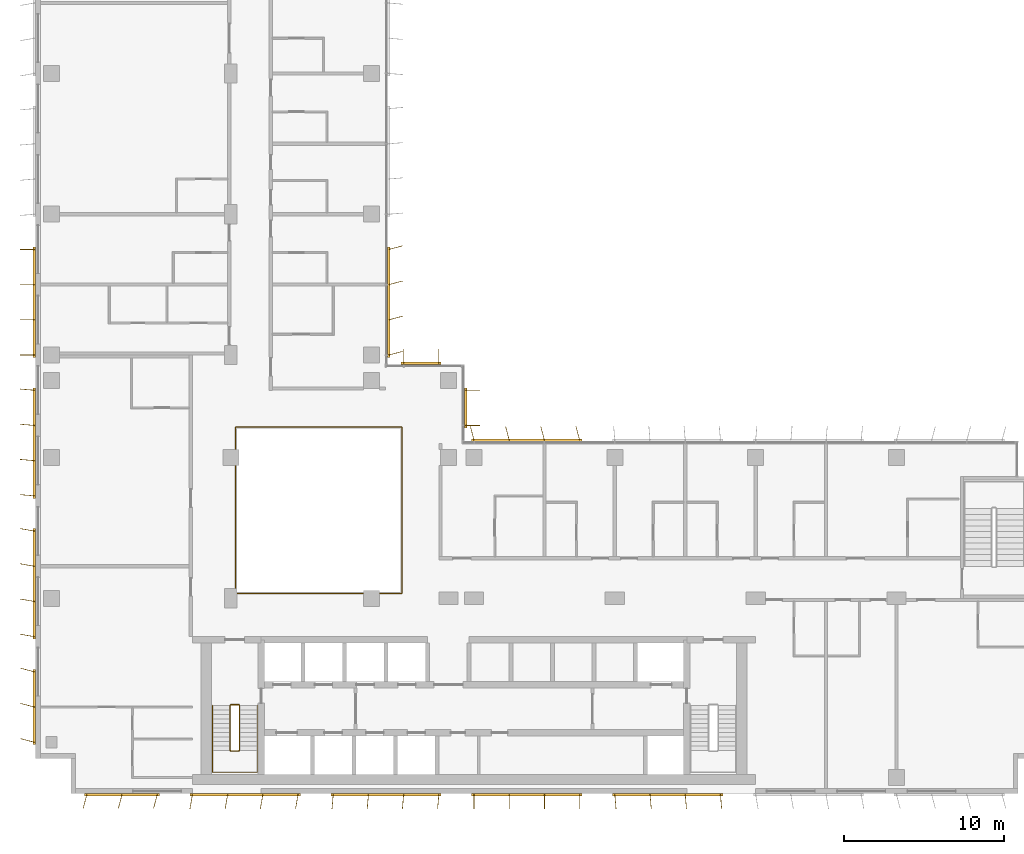
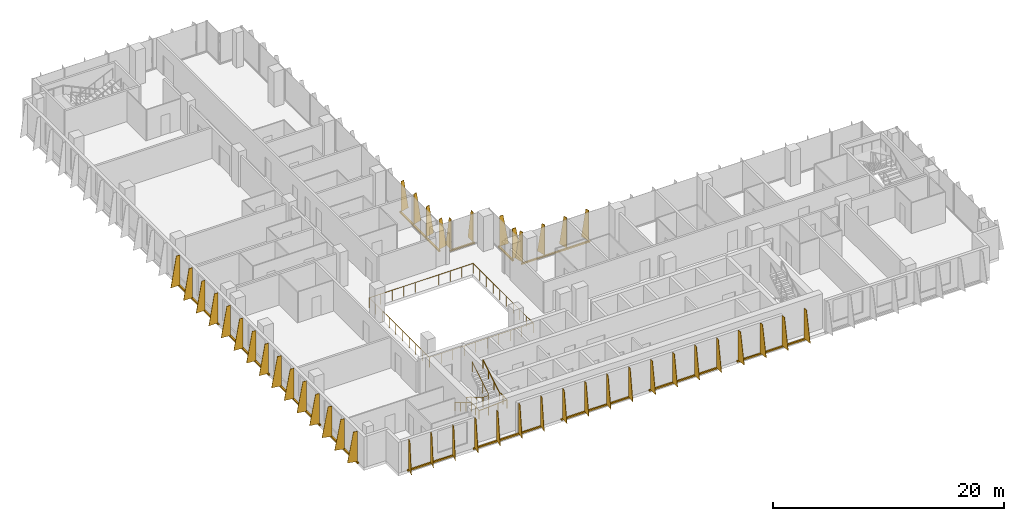
# One storey, part 19 of 21: 13 shading devices, 3 railings.
"""IFC4 building model written with IfcOpenShell, lengths in metres."""

from ifc_helpers import new_model, si_unit, direction, frame, origin, origin_2d, place, context, subcontext, project, spatial, polyline, rectangle, circle, outline, extrude, source, transform, mapped, material, layer, layer_set, type_object, element, save


model = new_model("IFC4")

# Units and contexts
model_context = context("Model", 3, precision=1e-05, world=origin(), true_north=direction((0.0, 1.0)))
body_context = subcontext(model_context, "Body", "Model", "MODEL_VIEW")
ifc_project = project(units=[si_unit("LENGTHUNIT", "METRE"), si_unit("AREAUNIT", "SQUARE_METRE"), si_unit("VOLUMEUNIT", "CUBIC_METRE"), si_unit("PLANEANGLEUNIT", "RADIAN"), si_unit("MASSUNIT", "GRAM", prefix="KILO")], contexts=[model_context])

# Site, building, storey
site_placement = place(None, origin())
site = spatial("IfcSite", under=ifc_project, at=site_placement, CompositionType="ELEMENT")
building_placement = place(site_placement, origin())
building = spatial("IfcBuilding", under=site, at=building_placement, Name="Kemantara Hotel Tower", CompositionType="ELEMENT")
storey_placement = place(building_placement, frame((0.0, 0.0, 198.800048828125)))
storey = spatial("IfcBuildingStorey", under=building, at=storey_placement, Name="L49", CompositionType="ELEMENT", Elevation=198.800048828125)

# Railings
ifc_material_1 = material(Name="Stainless steel and laminated glass balustrade", Category="steel")
railing_type_1 = type_object("IfcRailingType", Name="ATRIUM GUARD 1100", PredefinedType="GUARDRAIL", material=ifc_material_1)
railing_1_placement = place(storey_placement, frame((12.56005859375, 12.5, 0.0)))
element("IfcRailing", 1, at=railing_1_placement, inside=storey, type_object=railing_type_1, Name="ATRIUM GUARD L49", PredefinedType="GUARDRAIL", context=body_context, shape_type="SweptSolid", body=[
    extrude(circle(Radius=0.02490234375, at=origin_2d()), frame((0.0, 0.0, 1.0751953125), z_axis=(1.0, 0.0, 0.0), x_axis=(0.0, 1.0, 0.0)), (0.0, 0.0, 1.0), 10.33984375),
    extrude(circle(Radius=0.02490234375, at=origin_2d()), frame((10.33984375, 0.0, 1.0751953125), z_axis=(0.0, 1.0, 0.0), x_axis=(-1.0, 0.0, 0.0)), (0.0, 0.0, 1.0), 10.39990234375),
    extrude(circle(Radius=0.02490234375, at=origin_2d()), frame((10.33984375, 10.39990234375, 1.0751953125), z_axis=(-1.0, 0.0, 0.0), x_axis=(0.0, -1.0, 0.0)), (0.0, 0.0, 1.0), 10.39990234375),
    extrude(circle(Radius=0.02490234375, at=origin_2d()), frame((-0.06005859375, 10.39990234375, 1.0751953125), z_axis=(0.0, -1.0, 0.0), x_axis=(1.0, 0.0, 0.0)), (0.0, 0.0, 1.0), 10.39990234375),
    extrude(circle(Radius=0.02001953125, at=origin_2d()), origin(), (0.0, 0.0, 1.0), 1.050048828125),
    extrude(circle(Radius=0.02001953125, at=origin_2d()), frame((1.14892578125, 0.0, 0.0)), (0.0, 0.0, 1.0), 1.050048828125),
    extrude(circle(Radius=0.02001953125, at=origin_2d()), frame((2.2978515625, 0.0, 0.0)), (0.0, 0.0, 1.0), 1.050048828125),
    extrude(circle(Radius=0.02001953125, at=origin_2d()), frame((3.446533203125, 0.0, 0.0)), (0.0, 0.0, 1.0), 1.050048828125),
    extrude(circle(Radius=0.02001953125, at=origin_2d()), frame((4.595458984375, 0.0, 0.0)), (0.0, 0.0, 1.0), 1.050048828125),
    extrude(circle(Radius=0.02001953125, at=origin_2d()), frame((5.744384765625, 0.0, 0.0)), (0.0, 0.0, 1.0), 1.050048828125),
    extrude(circle(Radius=0.02001953125, at=origin_2d()), frame((6.893310546875, 0.0, 0.0)), (0.0, 0.0, 1.0), 1.050048828125),
    extrude(circle(Radius=0.02001953125, at=origin_2d()), frame((8.0419921875, 0.0, 0.0)), (0.0, 0.0, 1.0), 1.050048828125),
    extrude(circle(Radius=0.02001953125, at=origin_2d()), frame((9.19091796875, 0.0, 0.0)), (0.0, 0.0, 1.0), 1.050048828125),
    extrude(circle(Radius=0.02001953125, at=origin_2d()), frame((10.33984375, 0.0, 0.0)), (0.0, 0.0, 1.0), 1.050048828125),
    extrude(circle(Radius=0.02001953125, at=origin_2d()), frame((10.33984375, 1.155517578125, 0.0)), (0.0, 0.0, 1.0), 1.050048828125),
    extrude(circle(Radius=0.02001953125, at=origin_2d()), frame((10.33984375, 2.31103515625, 0.0)), (0.0, 0.0, 1.0), 1.050048828125),
    extrude(circle(Radius=0.02001953125, at=origin_2d()), frame((10.33984375, 3.466552734375, 0.0)), (0.0, 0.0, 1.0), 1.050048828125),
    extrude(circle(Radius=0.02001953125, at=origin_2d()), frame((10.33984375, 4.6220703125, 0.0)), (0.0, 0.0, 1.0), 1.050048828125),
    extrude(circle(Radius=0.02001953125, at=origin_2d()), frame((10.33984375, 5.77783203125, 0.0)), (0.0, 0.0, 1.0), 1.050048828125),
    extrude(circle(Radius=0.02001953125, at=origin_2d()), frame((10.33984375, 6.933349609375, 0.0)), (0.0, 0.0, 1.0), 1.050048828125),
    extrude(circle(Radius=0.02001953125, at=origin_2d()), frame((10.33984375, 8.0888671875, 0.0)), (0.0, 0.0, 1.0), 1.050048828125),
    extrude(circle(Radius=0.02001953125, at=origin_2d()), frame((10.33984375, 9.244384765625, 0.0)), (0.0, 0.0, 1.0), 1.050048828125),
    extrude(circle(Radius=0.02001953125, at=origin_2d()), frame((10.33984375, 10.39990234375, 0.0)), (0.0, 0.0, 1.0), 1.050048828125),
    extrude(circle(Radius=0.02001953125, at=origin_2d()), frame((9.184326171875, 10.39990234375, 0.0)), (0.0, 0.0, 1.0), 1.050048828125),
    extrude(circle(Radius=0.02001953125, at=origin_2d()), frame((8.02880859375, 10.39990234375, 0.0)), (0.0, 0.0, 1.0), 1.050048828125),
    extrude(circle(Radius=0.02001953125, at=origin_2d()), frame((6.873291015625, 10.39990234375, 0.0)), (0.0, 0.0, 1.0), 1.050048828125),
    extrude(circle(Radius=0.02001953125, at=origin_2d()), frame((5.7177734375, 10.39990234375, 0.0)), (0.0, 0.0, 1.0), 1.050048828125),
    extrude(circle(Radius=0.02001953125, at=origin_2d()), frame((4.56201171875, 10.39990234375, 0.0)), (0.0, 0.0, 1.0), 1.050048828125),
    extrude(circle(Radius=0.02001953125, at=origin_2d()), frame((3.406494140625, 10.39990234375, 0.0)), (0.0, 0.0, 1.0), 1.050048828125),
    extrude(circle(Radius=0.02001953125, at=origin_2d()), frame((2.2509765625, 10.39990234375, 0.0)), (0.0, 0.0, 1.0), 1.050048828125),
    extrude(circle(Radius=0.02001953125, at=origin_2d()), frame((1.095458984375, 10.39990234375, 0.0)), (0.0, 0.0, 1.0), 1.050048828125),
    extrude(circle(Radius=0.02001953125, at=origin_2d()), frame((-0.06005859375, 10.39990234375, 0.0)), (0.0, 0.0, 1.0), 1.050048828125),
    extrude(circle(Radius=0.02001953125, at=origin_2d()), frame((-0.06005859375, 9.244384765625, 0.0)), (0.0, 0.0, 1.0), 1.050048828125),
    extrude(circle(Radius=0.02001953125, at=origin_2d()), frame((-0.06005859375, 8.0888671875, 0.0)), (0.0, 0.0, 1.0), 1.050048828125),
    extrude(circle(Radius=0.02001953125, at=origin_2d()), frame((-0.06005859375, 6.933349609375, 0.0)), (0.0, 0.0, 1.0), 1.050048828125),
    extrude(circle(Radius=0.02001953125, at=origin_2d()), frame((-0.06005859375, 5.77783203125, 0.0)), (0.0, 0.0, 1.0), 1.050048828125),
    extrude(circle(Radius=0.02001953125, at=origin_2d()), frame((-0.06005859375, 4.6220703125, 0.0)), (0.0, 0.0, 1.0), 1.050048828125),
    extrude(circle(Radius=0.02001953125, at=origin_2d()), frame((-0.06005859375, 3.466552734375, 0.0)), (0.0, 0.0, 1.0), 1.050048828125),
    extrude(circle(Radius=0.02001953125, at=origin_2d()), frame((-0.06005859375, 2.31103515625, 0.0)), (0.0, 0.0, 1.0), 1.050048828125),
    extrude(circle(Radius=0.02001953125, at=origin_2d()), frame((-0.06005859375, 1.155517578125, 0.0)), (0.0, 0.0, 1.0), 1.050048828125),
    extrude(circle(Radius=0.02001953125, at=origin_2d()), frame((-0.06005859375, 0.0, 0.0)), (0.0, 0.0, 1.0), 1.050048828125),
])
ifc_material_2 = material(Name="Stainless steel balustrade", Category="steel")
railing_type_2 = type_object("IfcRailingType", Name="Stair guard 1100 mm", PredefinedType="GUARDRAIL", material=ifc_material_2)
railing_2_placement = place(storey_placement, frame((12.75, 5.5, 3.699951171875)))
element("IfcRailing", 2, at=railing_2_placement, inside=storey, type_object=railing_type_2, Name="L49 ST1 stair guard 1", PredefinedType="GUARDRAIL", context=body_context, shape_type="SweptSolid", body=[
    extrude(circle(Radius=0.02392578125, at=origin_2d()), frame((0.0, 0.0, 1.076171875), z_axis=(0.0, -0.857242210791, -0.514913383045), x_axis=(1.0, 0.0, 0.0)), (0.0, 0.0, 1.0), 3.266357421875),
    extrude(circle(Radius=0.02392578125, at=origin_2d()), frame((0.0, -2.800048828125, -0.60595703125), z_axis=(-0.274243871929, -0.274243871929, -0.92172696468), x_axis=(0.707106781187, -0.707106781187, 0.0)), (0.0, 0.0, 1.0), 0.1826171875),
    extrude(circle(Radius=0.02392578125, at=origin_2d()), frame((-0.050048828125, -2.85009765625, -0.77392578125), z_axis=(-1.0, 0.0, 0.0), x_axis=(0.0, -1.0, 0.0)), (0.0, 0.0, 1.0), 0.5),
    extrude(circle(Radius=0.02392578125, at=origin_2d()), frame((-0.550048828125, -2.85009765625, -0.77392578125), z_axis=(-0.707106781187, 0.707106781187, 0.0), x_axis=(-0.707106781187, -0.707106781187, 0.0)), (0.0, 0.0, 1.0), 0.07080078125),
    extrude(circle(Radius=0.02392578125, at=origin_2d()), frame((-0.60009765625, -2.800048828125, -0.77392578125), z_axis=(0.0, 0.857275202839, -0.514858452973), x_axis=(-1.0, 0.0, 0.0)), (0.0, 0.0, 1.0), 3.26611328125),
    extrude(circle(Radius=0.02392578125, at=origin_2d()), frame((-0.60009765625, 0.0, -2.45556640625), z_axis=(0.274243871929, 0.274243871929, -0.92172696468), x_axis=(-0.707106781187, 0.707106781187, 0.0)), (0.0, 0.0, 1.0), 0.1826171875),
    extrude(circle(Radius=0.02392578125, at=origin_2d()), frame((-0.550048828125, 0.050048828125, -2.6240234375), z_axis=(1.0, 0.0, 0.0), x_axis=(0.0, 1.0, 0.0)), (0.0, 0.0, 1.0), 0.5),
    extrude(circle(Radius=0.02099609375, at=origin_2d()), origin(), (0.0, 0.0, 1.0), 1.052001953125),
    extrude(circle(Radius=0.02099609375, at=origin_2d()), frame((0.0, -0.933349609375, -0.560546875)), (0.0, 0.0, 1.0), 1.052001953125),
    extrude(circle(Radius=0.02099609375, at=origin_2d()), frame((0.0, -1.86669921875, -1.121337890625)), (0.0, 0.0, 1.0), 1.052001953125),
    extrude(circle(Radius=0.02099609375, at=origin_2d()), frame((0.0, -2.800048828125, -1.681884765625)), (0.0, 0.0, 1.0), 1.052001953125),
    extrude(circle(Radius=0.02099609375, at=origin_2d()), frame((-0.050048828125, -2.85009765625, -1.85009765625)), (0.0, 0.0, 1.0), 1.052001953125),
    extrude(circle(Radius=0.02099609375, at=origin_2d()), frame((-0.550048828125, -2.85009765625, -1.85009765625)), (0.0, 0.0, 1.0), 1.052001953125),
    extrude(circle(Radius=0.02099609375, at=origin_2d()), frame((-0.60009765625, -2.800048828125, -1.85009765625)), (0.0, 0.0, 1.0), 1.052001953125),
    extrude(circle(Radius=0.02099609375, at=origin_2d()), frame((-0.60009765625, -1.86669921875, -2.41064453125)), (0.0, 0.0, 1.0), 1.052001953125),
    extrude(circle(Radius=0.02099609375, at=origin_2d()), frame((-0.60009765625, -0.933349609375, -2.97119140625)), (0.0, 0.0, 1.0), 1.052001953125),
    extrude(circle(Radius=0.02099609375, at=origin_2d()), frame((-0.60009765625, 0.0, -3.53173828125)), (0.0, 0.0, 1.0), 1.052001953125),
    extrude(circle(Radius=0.02099609375, at=origin_2d()), frame((-0.550048828125, 0.050048828125, -3.699951171875)), (0.0, 0.0, 1.0), 1.052001953125),
    extrude(circle(Radius=0.02099609375, at=origin_2d()), frame((-0.050048828125, 0.050048828125, -3.699951171875)), (0.0, 0.0, 1.0), 1.052001953125),
])
railing_type_3 = type_object("IfcRailingType", Name="Stair handrail 900 mm", PredefinedType="HANDRAIL", material=ifc_material_2)
railing_3_placement = place(storey_placement, frame((11.050048828125, 5.5, 0.168212890625)))
element("IfcRailing", 3, at=railing_3_placement, inside=storey, type_object=railing_type_3, Name="L49 ST1 stair handrail 1", PredefinedType="HANDRAIL", context=body_context, shape_type="SweptSolid", body=[
    extrude(circle(Radius=0.02392578125, at=origin_2d()), frame((0.0, 0.0, 0.8759765625), z_axis=(0.0, -0.857275202839, 0.514858452973), x_axis=(1.0, 0.0, 0.0)), (0.0, 0.0, 1.0), 3.26611328125),
    extrude(circle(Radius=0.02392578125, at=origin_2d()), frame((0.0, -2.800048828125, 2.5576171875), z_axis=(0.0, -1.0, 0.0), x_axis=(1.0, 0.0, 0.0)), (0.0, 0.0, 1.0), 1.3798828125),
    extrude(circle(Radius=0.02392578125, at=origin_2d()), frame((0.0, -4.179931640625, 2.5576171875), z_axis=(0.998200367801, 0.0, 0.059966871865), x_axis=(0.0, 1.0, 0.0)), (0.0, 0.0, 1.0), 2.80517578125),
    extrude(circle(Radius=0.02392578125, at=origin_2d()), frame((2.800048828125, -4.179931640625, 2.7255859375), z_axis=(0.0, 1.0, 0.0), x_axis=(-1.0, 0.0, 0.0)), (0.0, 0.0, 1.0), 1.3798828125),
    extrude(circle(Radius=0.02392578125, at=origin_2d()), frame((2.800048828125, -2.800048828125, 2.7255859375), z_axis=(0.0, 0.857242210791, 0.514913383045), x_axis=(-1.0, 0.0, 0.0)), (0.0, 0.0, 1.0), 3.266357421875),
    extrude(circle(Radius=0.02099609375, at=origin_2d()), origin(), (0.0, 0.0, 1.0), 0.851806640625),
    extrude(circle(Radius=0.02099609375, at=origin_2d()), frame((0.0, -0.933349609375, 0.560546875)), (0.0, 0.0, 1.0), 0.851806640625),
    extrude(circle(Radius=0.02099609375, at=origin_2d()), frame((0.0, -1.86669921875, 1.12109375)), (0.0, 0.0, 1.0), 0.851806640625),
    extrude(circle(Radius=0.02099609375, at=origin_2d()), frame((0.0, -2.800048828125, 1.681640625)), (0.0, 0.0, 1.0), 0.851806640625),
    extrude(circle(Radius=0.02099609375, at=origin_2d()), frame((0.0, -3.489990234375, 1.681640625)), (0.0, 0.0, 1.0), 0.851806640625),
    extrude(circle(Radius=0.02099609375, at=origin_2d()), frame((0.0, -4.179931640625, 1.681640625)), (0.0, 0.0, 1.0), 0.851806640625),
    extrude(circle(Radius=0.02099609375, at=origin_2d()), frame((0.933349609375, -4.179931640625, 1.73779296875)), (0.0, 0.0, 1.0), 0.851806640625),
    extrude(circle(Radius=0.02099609375, at=origin_2d()), frame((1.86669921875, -4.179931640625, 1.793701171875)), (0.0, 0.0, 1.0), 0.851806640625),
    extrude(circle(Radius=0.02099609375, at=origin_2d()), frame((2.800048828125, -4.179931640625, 1.849853515625)), (0.0, 0.0, 1.0), 0.851806640625),
    extrude(circle(Radius=0.02099609375, at=origin_2d()), frame((2.800048828125, -3.489990234375, 1.849853515625)), (0.0, 0.0, 1.0), 0.851806640625),
    extrude(circle(Radius=0.02099609375, at=origin_2d()), frame((2.800048828125, -2.800048828125, 1.849853515625)), (0.0, 0.0, 1.0), 0.851806640625),
    extrude(circle(Radius=0.02099609375, at=origin_2d()), frame((2.800048828125, -1.86669921875, 2.410400390625)), (0.0, 0.0, 1.0), 0.851806640625),
    extrude(circle(Radius=0.02099609375, at=origin_2d()), frame((2.800048828125, -0.933349609375, 2.97119140625)), (0.0, 0.0, 1.0), 0.851806640625),
    extrude(circle(Radius=0.02099609375, at=origin_2d()), frame((2.800048828125, 0.0, 3.53173828125)), (0.0, 0.0, 1.0), 0.851806640625),
])

# Shading devices
ifc_material_3 = material(Name="Perforated aluminium plate 4 mm bronze anodised", Category="aluminium")
ifc_layer_1 = layer(ifc_material_3, 0.0400390625)
ifc_layer_set_1 = layer_set([ifc_layer_1], Name="Perforated aluminium plate 4 mm bronze anodised")
shading_device_type_1 = type_object("IfcShadingDeviceType", Name="SCREEN FIN CASSETTE, 3 BLADES AT -15.0 DEG, 3200 HIGH", PredefinedType="USERDEFINED", material=ifc_layer_set_1)
shared_shape_1 = source(origin(), body_context, "Body", "SweptSolid", [
    extrude(rectangle(XDim=4.699951171875, YDim=0.14990234375, at=origin_2d()), frame((2.199951171875, -0.074951171875, -0.14990234375), z_axis=(0.0, 0.0, 1.0), x_axis=(1.0, 0.0, 0.0)), (0.0, 0.0, 1.0), 0.14990234375),
    extrude(outline(polyline([(0.0, 0.0), (0.89990234375, 0.0), (0.35009765625, 3.199951171875), (0.0, 3.199951171875), (0.0, 0.0)])), frame((0.019287109375, -0.080078125, 0.0), z_axis=(-0.966437683387, 0.256901156343, 0.0), x_axis=(-0.256901156343, -0.966437683387, 0.0)), (0.0, 0.0, 1.0), 0.039794921875),
    extrude(outline(polyline([(0.0, 0.0), (0.89990234375, 0.0), (0.35009765625, 3.199951171875), (0.0, 3.199951171875), (0.0, 0.0)])), frame((2.21923828125, -0.080078125, 0.0), z_axis=(-0.966437683387, 0.256901156343, 0.0), x_axis=(-0.256901156343, -0.966437683387, 0.0)), (0.0, 0.0, 1.0), 0.039794921875),
    extrude(outline(polyline([(0.0, 0.0), (0.89990234375, 0.0), (0.35009765625, 3.199951171875), (0.0, 3.199951171875), (0.0, 0.0)])), frame((4.41943359375, -0.080078125, 0.0), z_axis=(-0.966837822169, 0.255391122837, 0.0), x_axis=(-0.255391122837, -0.966837822169, 0.0)), (0.0, 0.0, 1.0), 0.0400390625),
])
for number, where, z_axis, x_axis, name in (
    (4, (0.0, 7.60009765625, 0.099853515625), (0.0, 0.0, 1.0), (0.0, -1.0, 0.0), "SCREEN FIN CASSETTE L49 T3-R05-7"),
    (5, (3.199951171875, 0.0, 0.099853515625), (0.0, 0.0, 1.0), (1.0, 0.0, 0.0), "SCREEN FIN CASSETTE L49 T3-R08-1"),
):
    element("IfcShadingDevice", number, at=place(storey_placement, frame(where, z_axis=z_axis, x_axis=x_axis)), inside=storey, type_object=shading_device_type_1, Name=name, ObjectType="SCREEN FIN", PredefinedType="USERDEFINED", context=body_context, shape_type="MappedRepresentation", body=[
        mapped(shared_shape_1, transform((0.0, 0.0, 0.0))),
    ])
ifc_layer_2 = layer(ifc_material_3, 0.0400390625)
ifc_layer_set_2 = layer_set([ifc_layer_2], Name="Perforated aluminium plate 4 mm bronze anodised")
shading_device_type_2 = type_object("IfcShadingDeviceType", Name="SCREEN FIN CASSETTE, 4 BLADES AT -10.0 DEG, 3200 HIGH", PredefinedType="USERDEFINED", material=ifc_layer_set_2)
shared_shape_2 = source(origin(), body_context, "Body", "SweptSolid", [
    extrude(rectangle(XDim=6.89990234375, YDim=0.14990234375, at=origin_2d()), frame((3.300048828125, -0.074951171875, -0.14990234375), z_axis=(0.0, 0.0, 1.0), x_axis=(1.0, 0.0, 0.0)), (0.0, 0.0, 1.0), 0.14990234375),
    extrude(outline(polyline([(0.0, 0.0), (0.89990234375, 0.0), (0.35009765625, 3.199951171875), (0.0, 3.199951171875), (0.0, 0.0)])), frame((0.019775390625, -0.078369140625, 0.0), z_axis=(-0.985389793052, 0.170314285219, 0.0), x_axis=(-0.170314285219, -0.985389793052, 0.0)), (0.0, 0.0, 1.0), 0.0400390625),
    extrude(outline(polyline([(0.0, 0.0), (0.89990234375, 0.0), (0.35009765625, 3.199951171875), (0.0, 3.199951171875), (0.0, 0.0)])), frame((2.2197265625, -0.078369140625, 0.0), z_axis=(-0.98521175482, 0.171341174751, 0.0), x_axis=(-0.171341174751, -0.98521175482, 0.0)), (0.0, 0.0, 1.0), 0.039794921875),
    extrude(outline(polyline([(0.0, 0.0), (0.89990234375, 0.0), (0.35009765625, 3.199951171875), (0.0, 3.199951171875), (0.0, 0.0)])), frame((4.419677734375, -0.078369140625, 0.0), z_axis=(-0.98521175482, 0.171341174751, 0.0), x_axis=(-0.171341174751, -0.98521175482, 0.0)), (0.0, 0.0, 1.0), 0.039794921875),
    extrude(outline(polyline([(0.0, 0.0), (0.89990234375, 0.0), (0.35009765625, 3.199951171875), (0.0, 3.199951171875), (0.0, 0.0)])), frame((6.61962890625, -0.078369140625, 0.0), z_axis=(-0.98521175482, 0.171341174751, 0.0), x_axis=(-0.171341174751, -0.98521175482, 0.0)), (0.0, 0.0, 1.0), 0.039794921875),
])
for number, where, z_axis, x_axis, name in (
    (6, (0.0, 16.39990234375, 0.099853515625), (0.0, 0.0, 1.0), (0.0, -1.0, 0.0), "SCREEN FIN CASSETTE L49 T3-R05-6"),
    (7, (9.800048828125, 0.0, 0.099853515625), (0.0, 0.0, 1.0), (1.0, 0.0, 0.0), "SCREEN FIN CASSETTE L49 T3-R08-2"),
):
    element("IfcShadingDevice", number, at=place(storey_placement, frame(where, z_axis=z_axis, x_axis=x_axis)), inside=storey, type_object=shading_device_type_2, Name=name, ObjectType="SCREEN FIN", PredefinedType="USERDEFINED", context=body_context, shape_type="MappedRepresentation", body=[
        mapped(shared_shape_2, transform((0.0, 0.0, 0.0))),
    ])
ifc_layer_3 = layer(ifc_material_3, 0.0400390625)
ifc_layer_set_3 = layer_set([ifc_layer_3], Name="Perforated aluminium plate 4 mm bronze anodised")
shading_device_type_3 = type_object("IfcShadingDeviceType", Name="SCREEN FIN CASSETTE, 4 BLADES AT -5.0 DEG, 3200 HIGH", PredefinedType="USERDEFINED", material=ifc_layer_set_3)
shared_shape_3 = source(origin(), body_context, "Body", "SweptSolid", [
    extrude(rectangle(XDim=6.89990234375, YDim=0.14990234375, at=origin_2d()), frame((3.300048828125, -0.074951171875, -0.14990234375), z_axis=(0.0, 0.0, 1.0), x_axis=(1.0, 0.0, 0.0)), (0.0, 0.0, 1.0), 0.14990234375),
    extrude(outline(polyline([(0.0, 0.0), (0.89990234375, 0.0), (0.35009765625, 3.199951171875), (0.0, 3.199951171875), (0.0, 0.0)])), frame((0.02001953125, -0.07666015625, 0.0), z_axis=(-0.996376129781, 0.085056498884, 0.0), x_axis=(-0.085056498884, -0.996376129781, 0.0)), (0.0, 0.0, 1.0), 0.040283203125),
    extrude(outline(polyline([(0.0, 0.0), (0.89990234375, 0.0), (0.35009765625, 3.199951171875), (0.0, 3.199951171875), (0.0, 0.0)])), frame((2.219970703125, -0.07666015625, 0.0), z_axis=(-0.996331773833, 0.085574508182, 0.0), x_axis=(-0.085574508182, -0.996331773833, 0.0)), (0.0, 0.0, 1.0), 0.0400390625),
    extrude(outline(polyline([(0.0, 0.0), (0.89990234375, 0.0), (0.35009765625, 3.199951171875), (0.0, 3.199951171875), (0.0, 0.0)])), frame((4.419921875, -0.07666015625, 0.0), z_axis=(-0.996331773833, 0.085574508182, 0.0), x_axis=(-0.085574508182, -0.996331773833, 0.0)), (0.0, 0.0, 1.0), 0.0400390625),
    extrude(outline(polyline([(0.0, 0.0), (0.89990234375, 0.0), (0.35009765625, 3.199951171875), (0.0, 3.199951171875), (0.0, 0.0)])), frame((6.619873046875, -0.07666015625, 0.0), z_axis=(-0.996331773833, 0.085574508182, 0.0), x_axis=(-0.085574508182, -0.996331773833, 0.0)), (0.0, 0.0, 1.0), 0.0400390625),
])
for number, where, z_axis, x_axis, name in (
    (8, (0.0, 25.199951171875, 0.099853515625), (0.0, 0.0, 1.0), (0.0, -1.0, 0.0), "SCREEN FIN CASSETTE L49 T3-R05-5"),
    (9, (18.60009765625, 0.0, 0.099853515625), (0.0, 0.0, 1.0), (1.0, 0.0, 0.0), "SCREEN FIN CASSETTE L49 T3-R08-3"),
):
    element("IfcShadingDevice", number, at=place(storey_placement, frame(where, z_axis=z_axis, x_axis=x_axis)), inside=storey, type_object=shading_device_type_3, Name=name, ObjectType="SCREEN FIN", PredefinedType="USERDEFINED", context=body_context, shape_type="MappedRepresentation", body=[
        mapped(shared_shape_3, transform((0.0, 0.0, 0.0))),
    ])
ifc_layer_4 = layer(ifc_material_3, 0.0400390625)
ifc_layer_set_4 = layer_set([ifc_layer_4], Name="Perforated aluminium plate 4 mm bronze anodised")
shading_device_type_4 = type_object("IfcShadingDeviceType", Name="SCREEN FIN CASSETTE, 4 BLADES AT +0.0 DEG, 3200 HIGH", PredefinedType="USERDEFINED", material=ifc_layer_set_4)
shared_shape_4 = source(origin(), body_context, "Body", "SweptSolid", [
    extrude(rectangle(XDim=6.89990234375, YDim=0.14990234375, at=origin_2d()), frame((3.300048828125, -0.074951171875, -0.14990234375), z_axis=(0.0, 0.0, 1.0), x_axis=(1.0, 0.0, 0.0)), (0.0, 0.0, 1.0), 0.14990234375),
    extrude(outline(polyline([(0.0, 0.0), (0.89990234375, 0.0), (0.35009765625, 3.199951171875), (0.0, 3.199951171875), (0.0, 0.0)])), frame((0.02001953125, -0.074951171875, 0.0), z_axis=(-1.0, 0.0, 0.0), x_axis=(0.0, -1.0, 0.0)), (0.0, 0.0, 1.0), 0.0400390625),
    extrude(outline(polyline([(0.0, 0.0), (0.89990234375, 0.0), (0.35009765625, 3.199951171875), (0.0, 3.199951171875), (0.0, 0.0)])), frame((2.219970703125, -0.074951171875, 0.0), z_axis=(-1.0, 0.0, 0.0), x_axis=(0.0, -1.0, 0.0)), (0.0, 0.0, 1.0), 0.0400390625),
    extrude(outline(polyline([(0.0, 0.0), (0.89990234375, 0.0), (0.35009765625, 3.199951171875), (0.0, 3.199951171875), (0.0, 0.0)])), frame((4.419921875, -0.074951171875, 0.0), z_axis=(-1.0, 0.0, 0.0), x_axis=(0.0, -1.0, 0.0)), (0.0, 0.0, 1.0), 0.0400390625),
    extrude(outline(polyline([(0.0, 0.0), (0.89990234375, 0.0), (0.35009765625, 3.199951171875), (0.0, 3.199951171875), (0.0, 0.0)])), frame((6.6201171875, -0.074951171875, 0.0), z_axis=(-1.0, 0.0, 0.0), x_axis=(0.0, -1.0, 0.0)), (0.0, 0.0, 1.0), 0.0400390625),
])
for number, where, z_axis, x_axis, name in (
    (10, (0.0, 34.0, 0.099853515625), (0.0, 0.0, 1.0), (0.0, -1.0, 0.0), "SCREEN FIN CASSETTE L49 T3-R05-4"),
    (11, (27.39990234375, 0.0, 0.099853515625), (0.0, 0.0, 1.0), (1.0, 0.0, 0.0), "SCREEN FIN CASSETTE L49 T3-R08-4"),
):
    element("IfcShadingDevice", number, at=place(storey_placement, frame(where, z_axis=z_axis, x_axis=x_axis)), inside=storey, type_object=shading_device_type_4, Name=name, ObjectType="SCREEN FIN", PredefinedType="USERDEFINED", context=body_context, shape_type="MappedRepresentation", body=[
        mapped(shared_shape_4, transform((0.0, 0.0, 0.0))),
    ])
ifc_layer_5 = layer(ifc_material_3, 0.0400390625)
ifc_layer_set_5 = layer_set([ifc_layer_5], Name="Perforated aluminium plate 4 mm bronze anodised")
shading_device_type_5 = type_object("IfcShadingDeviceType", Name="SCREEN FIN CASSETTE, 4 BLADES AT +5.0 DEG, 3200 HIGH", PredefinedType="USERDEFINED", material=ifc_layer_set_5)
shared_shape_5 = source(origin(), body_context, "Body", "SweptSolid", [
    extrude(rectangle(XDim=6.89990234375, YDim=0.14990234375, at=origin_2d()), frame((3.300048828125, -0.074951171875, -0.14990234375), z_axis=(0.0, 0.0, 1.0), x_axis=(1.0, 0.0, 0.0)), (0.0, 0.0, 1.0), 0.14990234375),
    extrude(outline(polyline([(0.0, 0.0), (0.89990234375, 0.0), (0.35009765625, 3.199951171875), (0.0, 3.199951171875), (0.0, 0.0)])), frame((0.02001953125, -0.0732421875, 0.0), z_axis=(-0.996376129781, -0.085056498884, 0.0), x_axis=(0.085056498884, -0.996376129781, 0.0)), (0.0, 0.0, 1.0), 0.040283203125),
    extrude(outline(polyline([(0.0, 0.0), (0.89990234375, 0.0), (0.35009765625, 3.199951171875), (0.0, 3.199951171875), (0.0, 0.0)])), frame((2.219970703125, -0.0732421875, 0.0), z_axis=(-0.996331773833, -0.085574508182, 0.0), x_axis=(0.085574508182, -0.996331773833, 0.0)), (0.0, 0.0, 1.0), 0.0400390625),
    extrude(outline(polyline([(0.0, 0.0), (0.89990234375, 0.0), (0.35009765625, 3.199951171875), (0.0, 3.199951171875), (0.0, 0.0)])), frame((4.419921875, -0.0732421875, 0.0), z_axis=(-0.996331773833, -0.085574508182, 0.0), x_axis=(0.085574508182, -0.996331773833, 0.0)), (0.0, 0.0, 1.0), 0.0400390625),
    extrude(outline(polyline([(0.0, 0.0), (0.89990234375, 0.0), (0.35009765625, 3.199951171875), (0.0, 3.199951171875), (0.0, 0.0)])), frame((6.619873046875, -0.0732421875, 0.0), z_axis=(-0.996331773833, -0.085574508182, 0.0), x_axis=(0.085574508182, -0.996331773833, 0.0)), (0.0, 0.0, 1.0), 0.0400390625),
])
shading_device_placement = place(storey_placement, frame((36.199951171875, 0.0, 0.099853515625), z_axis=(0.0, 0.0, 1.0), x_axis=(1.0, 0.0, 0.0)))
element("IfcShadingDevice", 12, at=shading_device_placement, inside=storey, type_object=shading_device_type_5, Name="SCREEN FIN CASSETTE L49 T3-R08-5", ObjectType="SCREEN FIN", PredefinedType="USERDEFINED", context=body_context, shape_type="MappedRepresentation", body=[
    mapped(shared_shape_5, transform((0.0, 0.0, 0.0))),
])
ifc_layer_6 = layer(ifc_material_3, 0.0400390625)
ifc_layer_set_6 = layer_set([ifc_layer_6], Name="Perforated aluminium plate 4 mm bronze anodised")
shading_device_type_6 = type_object("IfcShadingDeviceType", Name="SCREEN FIN CASSETTE, 4 BLADES AT +15.0 DEG, 3200 HIGH", PredefinedType="USERDEFINED", material=ifc_layer_set_6)
shared_shape_6 = source(origin(), body_context, "Body", "SweptSolid", [
    extrude(rectangle(XDim=6.89990234375, YDim=0.14990234375, at=origin_2d()), frame((3.300048828125, -0.074951171875, -0.14990234375), z_axis=(0.0, 0.0, 1.0), x_axis=(1.0, 0.0, 0.0)), (0.0, 0.0, 1.0), 0.14990234375),
    extrude(outline(polyline([(0.0, 0.0), (0.89990234375, 0.0), (0.35009765625, 3.199951171875), (0.0, 3.199951171875), (0.0, 0.0)])), frame((0.019287109375, -0.06982421875, 0.0), z_axis=(-0.966437683387, -0.256901156343, 0.0), x_axis=(0.256901156343, -0.966437683387, 0.0)), (0.0, 0.0, 1.0), 0.039794921875),
    extrude(outline(polyline([(0.0, 0.0), (0.89990234375, 0.0), (0.35009765625, 3.199951171875), (0.0, 3.199951171875), (0.0, 0.0)])), frame((2.21923828125, -0.06982421875, 0.0), z_axis=(-0.966437683387, -0.256901156343, 0.0), x_axis=(0.256901156343, -0.966437683387, 0.0)), (0.0, 0.0, 1.0), 0.039794921875),
    extrude(outline(polyline([(0.0, 0.0), (0.89990234375, 0.0), (0.35009765625, 3.199951171875), (0.0, 3.199951171875), (0.0, 0.0)])), frame((4.41943359375, -0.06982421875, 0.0), z_axis=(-0.966837822169, -0.255391122837, 0.0), x_axis=(0.255391122837, -0.966837822169, 0.0)), (0.0, 0.0, 1.0), 0.0400390625),
    extrude(outline(polyline([(0.0, 0.0), (0.89990234375, 0.0), (0.35009765625, 3.199951171875), (0.0, 3.199951171875), (0.0, 0.0)])), frame((6.619384765625, -0.06982421875, 0.0), z_axis=(-0.966837822169, -0.255391122837, 0.0), x_axis=(0.255391122837, -0.966837822169, 0.0)), (0.0, 0.0, 1.0), 0.0400390625),
])
for number, where, z_axis, x_axis, name in (
    (13, (34.0, 22.0, 0.099853515625), (0.0, 0.0, 1.0), (-1.0, 0.0, 0.0), "SCREEN FIN CASSETTE L49 T3-R14-4"),
    (14, (22.0, 27.39990234375, 0.099853515625), (0.0, 0.0, 1.0), (0.0, 1.0, 0.0), "SCREEN FIN CASSETTE L49 T3-R17-1"),
):
    element("IfcShadingDevice", number, at=place(storey_placement, frame(where, z_axis=z_axis, x_axis=x_axis)), inside=storey, type_object=shading_device_type_6, Name=name, ObjectType="SCREEN FIN", PredefinedType="USERDEFINED", context=body_context, shape_type="MappedRepresentation", body=[
        mapped(shared_shape_6, transform((0.0, 0.0, 0.0))),
    ])
ifc_layer_7 = layer(ifc_material_3, 0.0400390625)
ifc_layer_set_7 = layer_set([ifc_layer_7], Name="Perforated aluminium plate 4 mm bronze anodised")
shading_device_type_7 = type_object("IfcShadingDeviceType", Name="SCREEN FIN CASSETTE, 2 BLADES AT +0.0 DEG, 3200 HIGH", PredefinedType="USERDEFINED", material=ifc_layer_set_7)
shared_shape_7 = source(origin(), body_context, "Body", "SweptSolid", [
    extrude(rectangle(XDim=2.5, YDim=0.14990234375, at=origin_2d()), frame((1.10009765625, -0.074951171875, -0.14990234375), z_axis=(0.0, 0.0, 1.0), x_axis=(1.0, 0.0, 0.0)), (0.0, 0.0, 1.0), 0.14990234375),
    extrude(outline(polyline([(0.0, 0.0), (0.89990234375, 0.0), (0.35009765625, 3.199951171875), (0.0, 3.199951171875), (0.0, 0.0)])), frame((0.02001953125, -0.074951171875, 0.0), z_axis=(-1.0, 0.0, 0.0), x_axis=(0.0, -1.0, 0.0)), (0.0, 0.0, 1.0), 0.0400390625),
    extrude(outline(polyline([(0.0, 0.0), (0.89990234375, 0.0), (0.35009765625, 3.199951171875), (0.0, 3.199951171875), (0.0, 0.0)])), frame((2.219970703125, -0.074951171875, 0.0), z_axis=(-1.0, 0.0, 0.0), x_axis=(0.0, -1.0, 0.0)), (0.0, 0.0, 1.0), 0.0400390625),
])
for number, where, z_axis, x_axis, name in (
    (15, (26.800048828125, 23.0, 0.099853515625), (0.0, 0.0, 1.0), (0.0, 1.0, 0.0), "SCREEN FIN CASSETTE L49 T3-R15-1"),
    (16, (25.199951171875, 26.800048828125, 0.099853515625), (0.0, 0.0, 1.0), (-1.0, 0.0, 0.0), "SCREEN FIN CASSETTE L49 T3-R16-1"),
):
    element("IfcShadingDevice", number, at=place(storey_placement, frame(where, z_axis=z_axis, x_axis=x_axis)), inside=storey, type_object=shading_device_type_7, Name=name, ObjectType="SCREEN FIN", PredefinedType="USERDEFINED", context=body_context, shape_type="MappedRepresentation", body=[
        mapped(shared_shape_7, transform((0.0, 0.0, 0.0))),
    ])

save(model, "model.ifc")
